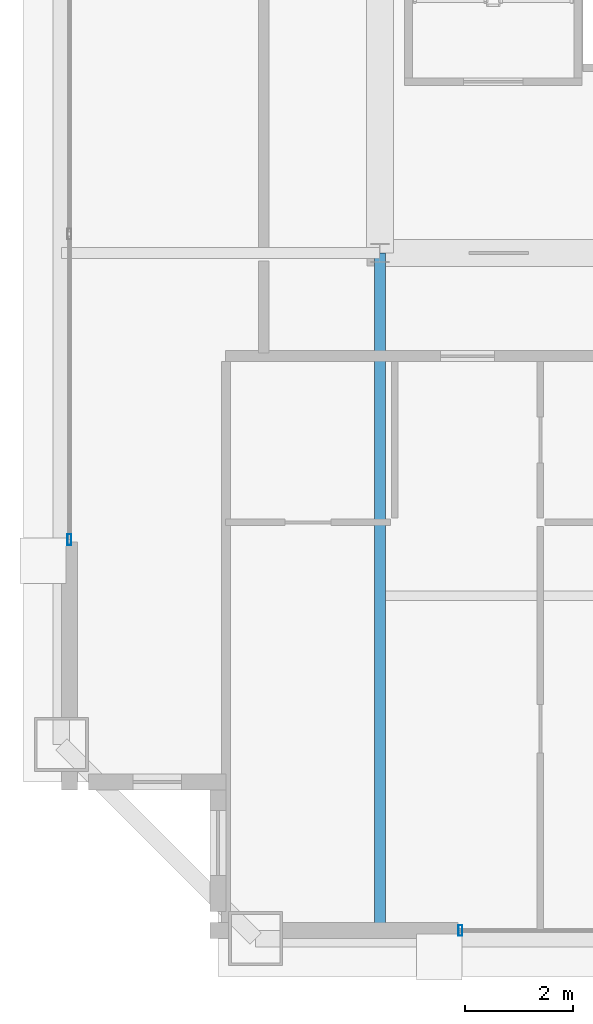
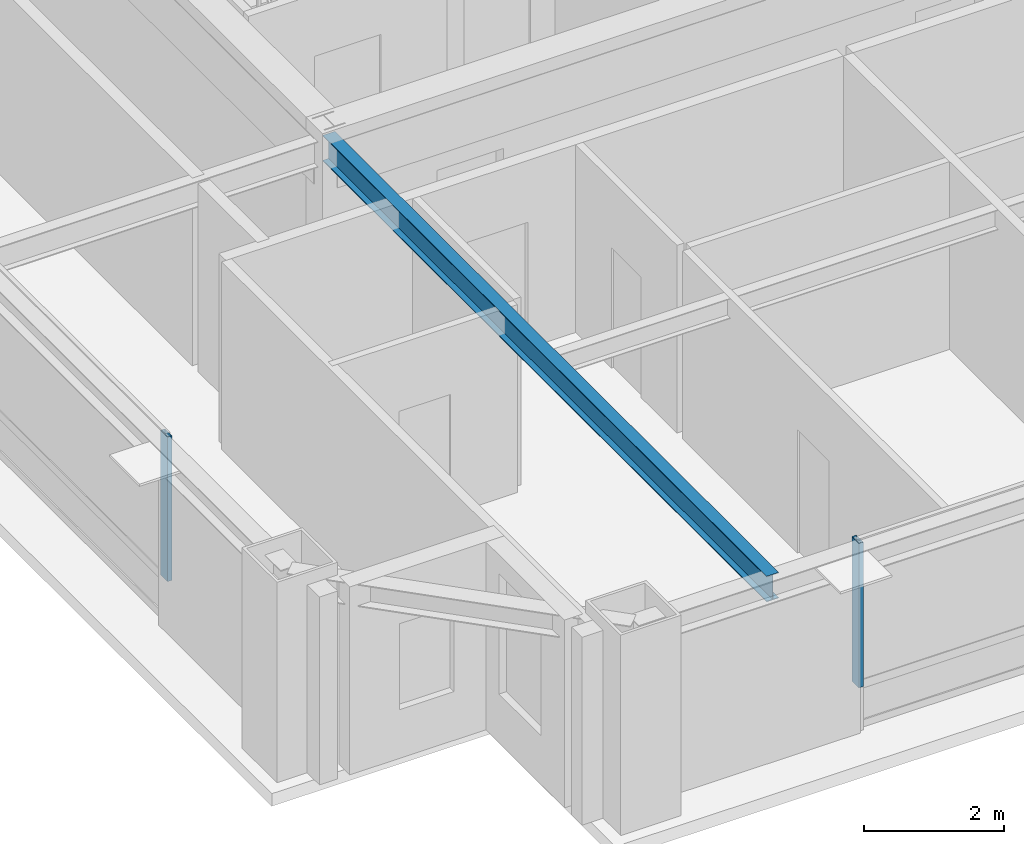
# One storey, part 4 of 35: 2 members, 1 beam, 2 elements without a shape of their own.
"""IFC4 building model written with IfcOpenShell, lengths in metres."""

from ifc_helpers import new_model, si_unit, direction, frame, origin, origin_2d, place, context, subcontext, project, spatial, hollow_rectangle, i_section, extrude, source, transform, mapped, material, layer, layer_set, material_profile, profile_set, type_object, element, aggregate, save


model = new_model("IFC4")

# Units and contexts
model_context = context("Model", 3, precision=1e-05, world=origin(), true_north=direction((0.0, 1.0)))
body_context = subcontext(model_context, "Body", "Model", "MODEL_VIEW")
ifc_project = project(units=[si_unit("LENGTHUNIT", "METRE"), si_unit("AREAUNIT", "SQUARE_METRE"), si_unit("VOLUMEUNIT", "CUBIC_METRE"), si_unit("PLANEANGLEUNIT", "RADIAN"), si_unit("MASSUNIT", "GRAM", prefix="KILO"), si_unit("THERMODYNAMICTEMPERATUREUNIT", "KELVIN"), si_unit("POWERUNIT", "WATT")], contexts=[model_context])

# Site, building, storey
site_placement = place(None, origin())
site = spatial("IfcSite", under=ifc_project, at=site_placement, CompositionType="ELEMENT")
building_placement = place(site_placement, origin())
building = spatial("IfcBuilding", under=site, at=building_placement, Name="Yuzanri Waterfront Tower", CompositionType="ELEMENT")
storey_placement = place(building_placement, frame((0.0, 0.0, 318.199951171875)))
storey = spatial("IfcBuildingStorey", under=building, at=storey_placement, Name="L85", CompositionType="ELEMENT", Elevation=318.199951171875)

# Beam
ifc_material_1 = material(Name="Steel Q355B", Category="steel")
ifc_material_profile_1 = material_profile(ifc_material_1, i_section(OverallWidth=0.199951171875, OverallDepth=0.449951171875, WebThickness=0.009033203125, FlangeThickness=0.013916015625, at=origin_2d()), Name="HN 450x200x9x14")
ifc_profile_set_1 = profile_set([ifc_material_profile_1], Name="Steel Q355B")
beam_type = type_object("IfcBeamType", Name="Secondary Floor Beam Q355B HN 450x200", PredefinedType="BEAM", material=ifc_profile_set_1)
shared_shape_1 = source(origin(), body_context, "Body", "SweptSolid", [
    extrude(i_section(OverallWidth=0.199951171875, OverallDepth=0.449951171875, WebThickness=0.009033203125, FlangeThickness=0.013916015625, at=origin_2d()), origin(), (0.0, 0.0, 1.0), 12.699951171875),
])
beam_placement = place(storey_placement, frame((23.800048828125, 19.39990234375, 3.054931640625), z_axis=(0.0, -1.0, 0.0), x_axis=(1.0, 0.0, 0.0)))
element("IfcBeam", 1, at=beam_placement, inside=storey, type_object=beam_type, Name="L85 South-West Core Line Beam", PredefinedType="BEAM", context=body_context, shape_type="MappedRepresentation", body=[
    mapped(shared_shape_1, transform((0.0, 0.0, 0.0), scale=1.0)),
])

# Curtain wall, member
ifc_material_2 = material(Name="Anodized Architectural Bronze", Category="metal")
ifc_layer = layer(ifc_material_2, 0.159912109375)
ifc_layer_set = layer_set([ifc_layer], Name="Anodized Architectural Bronze")
curtain_wall_type = type_object("IfcCurtainWallType", Name="Anodized Bronze High-Rise Penthouse High-Wind Unitized Curtain Wall 6900", PredefinedType="NOTDEFINED", material=ifc_layer_set)
curtain_wall_1_placement = place(storey_placement, origin())
curtain_wall_1 = element("IfcCurtainWall", 2, at=curtain_wall_1_placement, inside=storey, type_object=curtain_wall_type, Name="L85 Curtain Wall CW-L85-SL", PredefinedType="NOTDEFINED")
ifc_material_3 = material(Name="Anodized Architectural Bronze", Category="metal")
ifc_material_profile_2 = material_profile(ifc_material_3, hollow_rectangle(XDim=0.074951171875, YDim=0.199951171875, WallThickness=0.00390625, at=origin_2d()), Name="CWM 75x200")
ifc_profile_set_2 = profile_set([ifc_material_profile_2], Name="Anodized Architectural Bronze")
member_type = type_object("IfcMemberType", Name="Anodized Bronze Primary Curtain-Wall Mullion 75x200", PredefinedType="MULLION", material=ifc_profile_set_2)
shared_shape_2 = source(origin(), body_context, "Body", "SweptSolid", [
    extrude(hollow_rectangle(XDim=0.074951171875, YDim=0.199951171875, WallThickness=0.00390625, at=origin_2d()), origin(), (0.0, 0.0, 1.0), 2.52392578125),
])
member_1_placement = place(storey_placement, frame((25.2900390625, 6.85009765625, 0.756103515625), z_axis=(0.0, 0.0, 1.0), x_axis=(1.0, 0.0, 0.0)))
member_1 = element("IfcMember", 3, at=member_1_placement, type_object=member_type, Name="CW-L85-SL Upper Mullion 00", PredefinedType="MULLION", context=body_context, shape_type="MappedRepresentation", body=[
    mapped(shared_shape_2, transform((0.0, 0.0, 0.0), scale=1.0)),
])
aggregate(curtain_wall_1, [member_1])

curtain_wall_2_placement = place(storey_placement, origin())
curtain_wall_2 = element("IfcCurtainWall", 4, at=curtain_wall_2_placement, inside=storey, type_object=curtain_wall_type, Name="L85 Curtain Wall CW-L85-WL", PredefinedType="NOTDEFINED")
member_2_placement = place(storey_placement, frame((18.050048828125, 14.090087890625, 0.756103515625), z_axis=(0.0, 0.0, 1.0), x_axis=(1.0, 0.0, 0.0)))
member_2 = element("IfcMember", 5, at=member_2_placement, type_object=member_type, Name="CW-L85-WL Upper Mullion 00", PredefinedType="MULLION", context=body_context, shape_type="MappedRepresentation", body=[
    mapped(shared_shape_2, transform((0.0, 0.0, 0.0), scale=1.0)),
])
aggregate(curtain_wall_2, [member_2])

save(model, "model.ifc")
